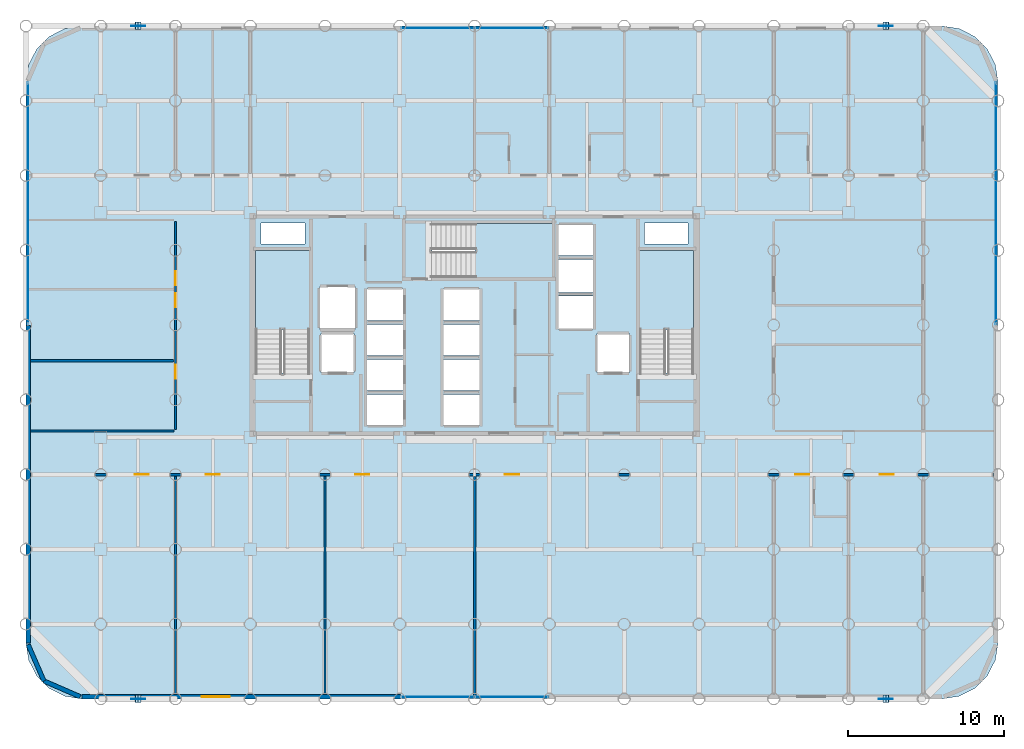
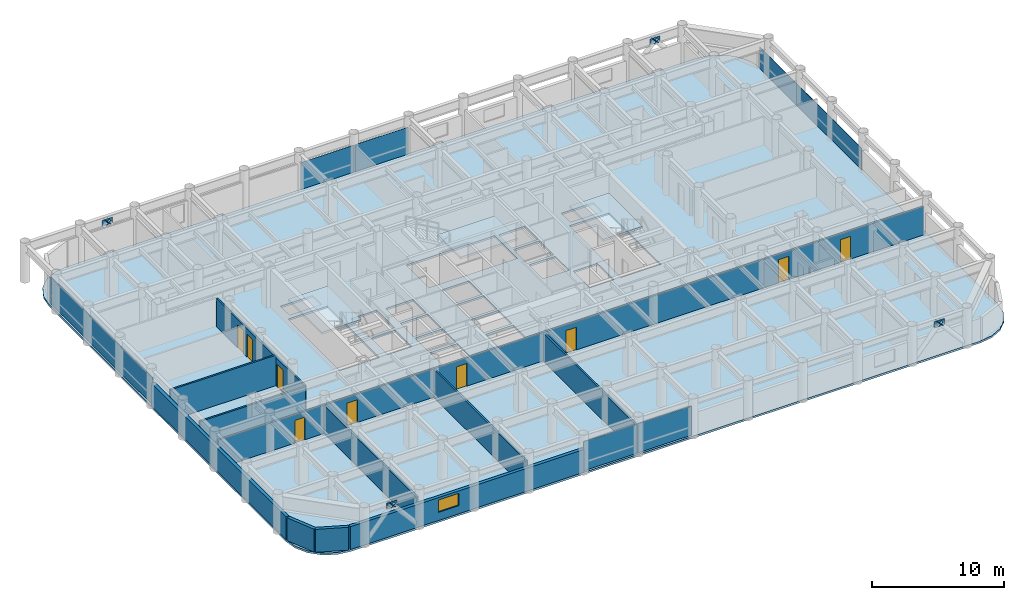
# One storey, part 14 of 19: 18 plates, 11 walls, 9 doors, 4 slabs, 1 window, 10 openings, 7 elements without a shape of their own.
"""IFC4 building model written with IfcOpenShell, lengths in metres."""

import ifcopenshell
import ifcopenshell.guid

model = None  # the IFC model being written
_history = None  # IfcOwnerHistory: only IFC2X3 demands one
_inside = {}  # id of a spatial element -> (the spatial element, [elements in it])
_under = {}  # id of a project, library or spatial element -> (it, [spatial elements below it])
_declared = {}  # id of a project -> (the project, [libraries it declares])
_typed = {}  # id of a type object -> (the type object, [elements of that type])
_made_of = {}  # id of a material, layer set ... -> (it, [elements and type objects made of it])


def new_model(schema):
    """Start an empty IFC model of exactly this schema.

    Asked for "IFC4X3", IfcOpenShell would pick the latest addendum, in which some entities
    have other attributes; the version numbers below select the first issue.
    IFC2X3 requires an IfcOwnerHistory on every rooted entity: one is made here for all.
    """
    global model, _history
    if schema == "IFC4X3":
        model = ifcopenshell.file(schema_version=(4, 3, 0, 0))
    else:
        model = ifcopenshell.file(schema=schema)
    _inside.clear()
    _under.clear()
    _declared.clear()
    _typed.clear()
    _made_of.clear()
    _history = None
    if model.schema == "IFC2X3":
        org = make("IfcOrganization", Name="unknown")
        user = make(
            "IfcPersonAndOrganization",
            ThePerson=make("IfcPerson", FamilyName="unknown"),
            TheOrganization=org,
        )
        app = make(
            "IfcApplication",
            ApplicationDeveloper=org,
            Version="unknown",
            ApplicationFullName="unknown",
            ApplicationIdentifier="unknown",
        )
        _history = make(
            "IfcOwnerHistory",
            OwningUser=user,
            OwningApplication=app,
            ChangeAction="ADDED",
            CreationDate=0,
        )
    return model


def make(cls, **values):
    """One entity of the class cls with the attributes given. An attribute that is None is left unset."""
    return model.create_entity(
        cls, **{name: value for name, value in values.items() if value is not None}
    )


def rooted(cls, **values):
    """An entity with a GlobalId (a new one), such as an element, a storey or a relation."""
    return make(cls, GlobalId=ifcopenshell.guid.new(), OwnerHistory=_history, **values)


def si_unit(unit_type, name, prefix=None):
    """IfcSIUnit, for example si_unit("LENGTHUNIT", "METRE", prefix="MILLI")."""
    return make("IfcSIUnit", UnitType=unit_type, Prefix=prefix, Name=name)


def assignment(units):
    """IfcUnitAssignment: the units of a project."""
    return None if units is None else make("IfcUnitAssignment", Units=units)


def point(xyz):
    """IfcCartesianPoint."""
    return None if xyz is None else make("IfcCartesianPoint", Coordinates=xyz)


def direction(xyz):
    """IfcDirection."""
    return None if xyz is None else make("IfcDirection", DirectionRatios=xyz)


def frame(location, z_axis=None, x_axis=None):
    """IfcAxis2Placement3D, a coordinate frame: its origin and axes. An axis left out is left unset."""
    return make(
        "IfcAxis2Placement3D",
        Location=point(location),
        Axis=direction(z_axis),
        RefDirection=direction(x_axis),
    )


def frame_2d(location, x_axis=None):
    """IfcAxis2Placement2D, a coordinate frame in the plane: its origin and x axis."""
    return make(
        "IfcAxis2Placement2D", Location=point(location), RefDirection=direction(x_axis)
    )


def origin():
    """The frame at (0, 0, 0) with its axes left unset."""
    return frame((0.0, 0.0, 0.0))


def origin_2d():
    """The frame at (0, 0) in the plane with its x axis left unset."""
    return frame_2d((0.0, 0.0))


def place(relative_to, where):
    """IfcLocalPlacement: puts the frame where relative to a parent placement (None: the world)."""
    return make(
        "IfcLocalPlacement", PlacementRelTo=relative_to, RelativePlacement=where
    )


def context(
    kind, dimensions, precision=None, world=None, true_north=None, identifier=None
):
    """IfcGeometricRepresentationContext, for example the 3D "Model" context."""
    return make(
        "IfcGeometricRepresentationContext",
        ContextIdentifier=identifier,
        ContextType=kind,
        CoordinateSpaceDimension=dimensions,
        Precision=precision,
        WorldCoordinateSystem=world,
        TrueNorth=true_north,
    )


def subcontext(parent, identifier, kind, view, scale=None):
    """IfcGeometricRepresentationSubContext, for example "Body" below "Model"."""
    return make(
        "IfcGeometricRepresentationSubContext",
        ContextIdentifier=identifier,
        ContextType=kind,
        ParentContext=parent,
        TargetScale=scale,
        TargetView=view,
    )


def project(units=None, contexts=None):
    """IfcProject with its units and contexts."""
    return rooted(
        "IfcProject",
        Name="project",
        RepresentationContexts=contexts,
        UnitsInContext=assignment(units),
    )


def spatial(cls, under=None, at=None, **own):
    """A site, building, storey or space (cls), placed at a placement, below another one or the project."""
    s = rooted(cls, ObjectPlacement=at, **own)
    if under is not None:
        _under.setdefault(under.id(), (under, []))[1].append(s)
    return s


def polyline(points):
    """IfcPolyline through the points."""
    return make("IfcPolyline", Points=[point(p) for p in points])


def profile(cls, at=None, kind="AREA", **sizes):
    """A parametric profile (cls). Its sizes go by their IFC names, for example OverallWidth=200.0."""
    return make(cls, ProfileType=kind, Position=at, **sizes)


def rectangle(**sizes):
    """IfcRectangleProfileDef."""
    return profile("IfcRectangleProfileDef", **sizes)


def outline(outer, holes=None, kind="AREA"):
    """IfcArbitraryClosedProfileDef: a profile drawn as a closed curve; with holes, ...WithVoids."""
    if holes is None:
        return make("IfcArbitraryClosedProfileDef", ProfileType=kind, OuterCurve=outer)
    return make(
        "IfcArbitraryProfileDefWithVoids",
        ProfileType=kind,
        OuterCurve=outer,
        InnerCurves=holes,
    )


def extrude(swept, where, along, depth):
    """IfcExtrudedAreaSolid: the profile swept, set in the frame where, extruded along a direction by depth."""
    return make(
        "IfcExtrudedAreaSolid",
        SweptArea=swept,
        Position=where,
        ExtrudedDirection=direction(along),
        Depth=depth,
    )


def shape(context_of_items, identifier, shape_type, items):
    """IfcShapeRepresentation: the items that make up one representation, for example the "Body"."""
    return make(
        "IfcShapeRepresentation",
        ContextOfItems=context_of_items,
        RepresentationIdentifier=identifier,
        RepresentationType=shape_type,
        Items=items,
    )


def material(Name=None, Category=None):
    """IfcMaterial."""
    return make("IfcMaterial", Name=Name, Category=Category)


def layer(
    of_material, thickness, ventilated=None, Name=None, Category=None, Priority=None
):
    """IfcMaterialLayer: one layer of a wall or slab, of a material (None: an air gap)."""
    return make(
        "IfcMaterialLayer",
        Material=of_material,
        LayerThickness=thickness,
        IsVentilated=ventilated,
        Name=Name,
        Category=Category,
        Priority=Priority,
    )


def layer_set(layers, Name=None):
    """IfcMaterialLayerSet."""
    return make("IfcMaterialLayerSet", MaterialLayers=layers, LayerSetName=Name)


def made_of(thing, what):
    """Note that an element or type object is made of a material, layer set ...; save() writes the relation."""
    if what is not None:
        _made_of.setdefault(what.id(), (what, []))[1].append(thing)
    return thing


def type_object(cls, material=None, **own):
    """A type object (cls), such as IfcWallType, which elements share."""
    return made_of(rooted(cls, **own), material)


def element(
    cls,
    number,
    at=None,
    inside=None,
    cuts=None,
    type_object=None,
    material=None,
    context=None,
    identifier="Body",
    shape_type=None,
    held_by="IfcProductDefinitionShape",
    body=None,
    shapes=None,
    **own,
):
    """One element of the class cls, such as IfcWall. Its Tag is "e" and its number.

    at: its placement. inside: the storey or other place that contains it. cuts: it is an
    opening in that element (IfcRelVoidsElement). A single representation is given by context,
    identifier, shape_type and body (its items); several are given by shapes. held_by: the class
    of the entity that holds the representations. save() writes the other relations.
    """
    e = rooted(cls, Tag="e%d" % number, ObjectPlacement=at, **own)
    if body is not None:
        shapes = [shape(context, identifier, shape_type, body)]
    if shapes is not None:
        e.Representation = make(held_by, Representations=shapes)
    if inside is not None:
        _inside.setdefault(inside.id(), (inside, []))[1].append(e)
    if cuts is not None:
        rooted(
            "IfcRelVoidsElement", RelatingBuildingElement=cuts, RelatedOpeningElement=e
        )
    if type_object is not None:
        _typed.setdefault(type_object.id(), (type_object, []))[1].append(e)
    return made_of(e, material)


def fill(opening, filler):
    """IfcRelFillsElement: the door or window that sits in an opening."""
    return rooted(
        "IfcRelFillsElement",
        RelatingOpeningElement=opening,
        RelatedBuildingElement=filler,
    )


def aggregate(whole, parts):
    """IfcRelAggregates: a whole, such as a stair, and the parts it consists of."""
    return rooted("IfcRelAggregates", RelatingObject=whole, RelatedObjects=parts)


def save(model, path):
    """Write the relations noted so far, then the file.

    IfcRelAggregates (storeys below a building ...), IfcRelContainedInSpatialStructure (elements
    in a storey), IfcRelDefinesByType, IfcRelAssociatesMaterial and IfcRelDeclares: one each for
    every whole, place, type object, material and project.
    """
    for whole, parts in _under.values():
        aggregate(whole, parts)
    for where, things in _inside.values():
        rooted(
            "IfcRelContainedInSpatialStructure",
            RelatedElements=things,
            RelatingStructure=where,
        )
    for kind, things in _typed.values():
        rooted("IfcRelDefinesByType", RelatedObjects=things, RelatingType=kind)
    for what, things in _made_of.values():
        rooted("IfcRelAssociatesMaterial", RelatedObjects=things, RelatingMaterial=what)
    for by, libraries in _declared.values():
        rooted("IfcRelDeclares", RelatingContext=by, RelatedDefinitions=libraries)
    model.write(path)


model = new_model("IFC4")

# Units and contexts
model_context = context("Model", 3, precision=1e-05, world=origin(), true_north=direction((0.0, 1.0)))
body_context = subcontext(model_context, "Body", "Model", "MODEL_VIEW")
ifc_project = project(units=[si_unit("LENGTHUNIT", "METRE"), si_unit("AREAUNIT", "SQUARE_METRE"), si_unit("VOLUMEUNIT", "CUBIC_METRE"), si_unit("PLANEANGLEUNIT", "RADIAN"), si_unit("MASSUNIT", "GRAM", prefix="KILO")], contexts=[model_context])

# Site, building, storey
site_placement = place(None, origin())
site = spatial("IfcSite", under=ifc_project, at=site_placement, CompositionType="ELEMENT")
building_placement = place(site_placement, origin())
building = spatial("IfcBuilding", under=site, at=building_placement, Name="Kallvorn Hotel Tower", CompositionType="ELEMENT")
storey_placement = place(building_placement, frame((0.0, 0.0, 63.300048828125)))
storey = spatial("IfcBuildingStorey", under=building, at=storey_placement, Name="L14", CompositionType="ELEMENT", Elevation=63.300048828125)

# Curtain wall, plates
ifc_material_1 = material(Name="Thermally broken black-anodised aluminium AA 6063-T6", Category="aluminium")
ifc_layer_1 = layer(ifc_material_1, 0.199951171875)
ifc_layer_set_1 = layer_set([ifc_layer_1], Name="CW_SYS_3_HOTEL_LOW")
curtain_wall_type = type_object("IfcCurtainWallType", Name="CW_SYS_3_HOTEL_LOW", PredefinedType="USERDEFINED", material=ifc_layer_set_1)
curtain_wall_1_placement = place(storey_placement, origin())
curtain_wall_1 = element("IfcCurtainWall", 1, at=curtain_wall_1_placement, inside=storey, type_object=curtain_wall_type, Name="L14 Dark-Glass Curtain Wall CW-L14-SC", ObjectType="UNITISED CURTAIN WALL", PredefinedType="USERDEFINED")
ifc_material_2 = material(Name="Double-glazed low-e solar-control dark glass", Category="glass")
ifc_layer_2 = layer(ifc_material_2, 0.035888671875)
ifc_layer_set_2 = layer_set([ifc_layer_2], Name="CW_SYS_3_HOTEL_LOW_PANEL")
plate_type_1 = type_object("IfcPlateType", Name="CW_SYS_3_HOTEL_LOW_PANEL", PredefinedType="CURTAIN_PANEL", material=ifc_layer_set_2)
plate_1_placement = place(storey_placement, frame((-2.375, -23.8798828125, 0.06005859375), z_axis=(0.0, 0.0, 1.0), x_axis=(1.0, 0.0, 0.0)))
plate_1 = element("IfcPlate", 2, at=plate_1_placement, type_object=plate_type_1, Name="CW-L14-SC Vision Glass Panel 00", PredefinedType="CURTAIN_PANEL", context=body_context, shape_type="SweptSolid", body=[
    extrude(rectangle(XDim=4.68994140625, YDim=0.035888671875, at=origin_2d()), origin(), (0.0, 0.0, 1.0), 2.699951171875),
])
plate_2_placement = place(storey_placement, frame((2.375, -23.8798828125, 0.06005859375), z_axis=(0.0, 0.0, 1.0), x_axis=(1.0, 0.0, 0.0)))
plate_2 = element("IfcPlate", 3, at=plate_2_placement, type_object=plate_type_1, Name="CW-L14-SC Vision Glass Panel 01", PredefinedType="CURTAIN_PANEL", context=body_context, shape_type="SweptSolid", body=[
    extrude(rectangle(XDim=4.68994140625, YDim=0.035888671875, at=origin_2d()), origin(), (0.0, 0.0, 1.0), 2.699951171875),
])
aggregate(curtain_wall_1, [plate_1, plate_2])

curtain_wall_2_placement = place(storey_placement, origin())
curtain_wall_2 = element("IfcCurtainWall", 4, at=curtain_wall_2_placement, inside=storey, type_object=curtain_wall_type, Name="L14 Dark-Glass Curtain Wall CW-L14-NC", ObjectType="UNITISED CURTAIN WALL", PredefinedType="USERDEFINED")
plate_3_placement = place(storey_placement, frame((-2.375, 19.080078125, 0.06005859375), z_axis=(0.0, 0.0, 1.0), x_axis=(1.0, 0.0, 0.0)))
plate_3 = element("IfcPlate", 5, at=plate_3_placement, type_object=plate_type_1, Name="CW-L14-NC Vision Glass Panel 00", PredefinedType="CURTAIN_PANEL", context=body_context, shape_type="SweptSolid", body=[
    extrude(rectangle(XDim=4.68994140625, YDim=0.035888671875, at=origin_2d()), origin(), (0.0, 0.0, 1.0), 2.5),
])
plate_4_placement = place(storey_placement, frame((2.375, 19.080078125, 0.06005859375), z_axis=(0.0, 0.0, 1.0), x_axis=(1.0, 0.0, 0.0)))
plate_4 = element("IfcPlate", 6, at=plate_4_placement, type_object=plate_type_1, Name="CW-L14-NC Vision Glass Panel 01", PredefinedType="CURTAIN_PANEL", context=body_context, shape_type="SweptSolid", body=[
    extrude(rectangle(XDim=4.68994140625, YDim=0.035888671875, at=origin_2d()), origin(), (0.0, 0.0, 1.0), 2.5),
])
aggregate(curtain_wall_2, [plate_3, plate_4])

# Curtain wall, plate
curtain_wall_3_placement = place(storey_placement, origin())
curtain_wall_3 = element("IfcCurtainWall", 7, at=curtain_wall_3_placement, inside=storey, type_object=curtain_wall_type, Name="L14 Dark-Glass Curtain Wall CW-L14-WN", ObjectType="UNITISED CURTAIN WALL", PredefinedType="USERDEFINED")
plate_5_placement = place(storey_placement, frame((-28.679931640625, 7.81005859375, 0.06005859375), z_axis=(0.0, 0.0, 1.0), x_axis=(0.0, 1.0, 0.0)))
plate_5 = element("IfcPlate", 8, at=plate_5_placement, type_object=plate_type_1, Name="CW-L14-WN Vision Glass Panel 00", PredefinedType="CURTAIN_PANEL", context=body_context, shape_type="SweptSolid", body=[
    extrude(rectangle(XDim=15.52001953125, YDim=0.035888671875, at=origin_2d()), origin(), (0.0, 0.0, 1.0), 2.5),
])
aggregate(curtain_wall_3, [plate_5])

curtain_wall_4_placement = place(storey_placement, origin())
curtain_wall_4 = element("IfcCurtainWall", 9, at=curtain_wall_4_placement, inside=storey, type_object=curtain_wall_type, Name="L14 Dark-Glass Curtain Wall CW-L14-EN", ObjectType="UNITISED CURTAIN WALL", PredefinedType="USERDEFINED")
plate_6_placement = place(storey_placement, frame((33.47998046875, 7.81005859375, 0.06005859375), z_axis=(0.0, 0.0, 1.0), x_axis=(0.0, 1.0, 0.0)))
plate_6 = element("IfcPlate", 10, at=plate_6_placement, type_object=plate_type_1, Name="CW-L14-EN Vision Glass Panel 00", PredefinedType="CURTAIN_PANEL", context=body_context, shape_type="SweptSolid", body=[
    extrude(rectangle(XDim=15.52001953125, YDim=0.035888671875, at=origin_2d()), origin(), (0.0, 0.0, 1.0), 2.0),
])
aggregate(curtain_wall_4, [plate_6])

# Plates
ifc_material_3 = material(Name="Structural steel S355JR", Category="steel")
ifc_layer_3 = layer(ifc_material_3, 0.030029296875)
ifc_layer_set_3 = layer_set([ifc_layer_3], Name="PLT_CAP_30")
plate_type_2 = type_object("IfcPlateType", Name="PLT_CAP_30", PredefinedType="SHEET", material=ifc_layer_set_3)
for number, where, z_axis, x_axis, name in (
    (11, (-21.409423828125, -24.2431640625, 2.80859375), (0.653515319717, 0.0, 0.756913288888), (0.0, 1.0, 0.0), "EXO-L14-S1A End Cap Plate B"),
    (12, (-21.79052734375, -23.7568359375, 2.80859375), (-0.653515319717, 0.0, 0.756913288888), (0.0, -1.0, 0.0), "EXO-L14-S1B End Cap Plate B"),
    (13, (26.590576171875, -24.2431640625, 2.80859375), (0.653515319717, 0.0, 0.756913288888), (0.0, 1.0, 0.0), "EXO-L14-S2A End Cap Plate B"),
    (14, (26.20947265625, -23.7568359375, 2.80859375), (-0.653515319717, 0.0, 0.756913288888), (0.0, -1.0, 0.0), "EXO-L14-S2B End Cap Plate B"),
    (15, (-21.409423828125, 18.956787109375, 2.80859375), (0.653515319717, 0.0, 0.756913288888), (0.0, 1.0, 0.0), "EXO-L14-N1A End Cap Plate B"),
    (16, (-21.79052734375, 19.443115234375, 2.80859375), (-0.653515319717, 0.0, 0.756913288888), (0.0, -1.0, 0.0), "EXO-L14-N1B End Cap Plate B"),
    (17, (26.590576171875, 18.956787109375, 2.80859375), (0.653515319717, 0.0, 0.756913288888), (0.0, 1.0, 0.0), "EXO-L14-N2A End Cap Plate B"),
    (18, (26.20947265625, 19.443115234375, 2.80859375), (-0.653515319717, 0.0, 0.756913288888), (0.0, -1.0, 0.0), "EXO-L14-N2B End Cap Plate B"),
):
    element("IfcPlate", number, at=place(storey_placement, frame(where, z_axis=z_axis, x_axis=x_axis)), inside=storey, type_object=plate_type_2, Name=name, PredefinedType="SHEET", context=body_context, shape_type="SweptSolid", body=[
        extrude(outline(polyline([(0.0, 0.0), (0.486328125, 0.0), (0.486328125, 0.4864019008580509), (0.0, 0.4864019008580509), (0.0, 0.0)])), origin(), (0.0, 0.0, -1.0), 0.030029296875),
    ])
ifc_material_4 = material(Name="Structural steel S355JR", Category="steel")
ifc_layer_4 = layer(ifc_material_4, 0.044921875)
ifc_layer_set_4 = layer_set([ifc_layer_4], Name="PLT_GUSSET_45")
plate_type_3 = type_object("IfcPlateType", Name="PLT_GUSSET_45", PredefinedType="USERDEFINED", material=ifc_layer_set_4)
for number, where, z_axis, x_axis, name in (
    (19, (-21.60009765625, -24.0, 2.639892578125), (0.0, 0.0, 1.0), (1.0, 0.0, 0.0), "L14 Exoskeleton Node Gusset S1"),
    (20, (26.39990234375, -24.0, 2.639892578125), (0.0, 0.0, 1.0), (1.0, 0.0, 0.0), "L14 Exoskeleton Node Gusset S2"),
    (21, (-21.60009765625, 19.199951171875, 2.639892578125), (0.0, 0.0, 1.0), (1.0, 0.0, 0.0), "L14 Exoskeleton Node Gusset N1"),
    (22, (26.39990234375, 19.199951171875, 2.639892578125), (0.0, 0.0, 1.0), (1.0, 0.0, 0.0), "L14 Exoskeleton Node Gusset N2"),
):
    element("IfcPlate", number, at=place(storey_placement, frame(where, z_axis=z_axis, x_axis=x_axis)), inside=storey, type_object=plate_type_3, Name=name, ObjectType="GUSSET PLATE", PredefinedType="USERDEFINED", context=body_context, shape_type="SweptSolid", body=[
        extrude(rectangle(XDim=0.89990234375, YDim=0.044921875, at=origin_2d()), origin(), (0.0, 0.0, 1.0), 0.56005859375),
    ])

# Stair, slab
ifc_material_5 = material(Name="Precast concrete C40/50", Category="concrete")
stair_type = type_object("IfcStairType", Name="STR_CORE_DOGLEG", PredefinedType="HALF_TURN_STAIR", material=ifc_material_5)
stair_1_placement = place(storey_placement, origin())
stair_1 = element("IfcStair", 23, at=stair_1_placement, inside=storey, type_object=stair_type, Name="L14 Exit stair ST1", PredefinedType="HALF_TURN_STAIR")
ifc_material_6 = material(Name="Precast concrete C40/50", Category="concrete")
ifc_layer_5 = layer(ifc_material_6, 0.179931640625)
ifc_layer_set_5 = layer_set([ifc_layer_5], Name="SLB_LANDING_180")
slab_type_1 = type_object("IfcSlabType", Name="SLB_LANDING_180", PredefinedType="LANDING", material=ifc_layer_set_5)
slab_1_placement = place(storey_placement, frame((0.0, 0.0, 1.64990234375)))
slab_1 = element("IfcSlab", 24, at=slab_1_placement, type_object=slab_type_1, Name="ST1 landing 1", PredefinedType="LANDING", context=body_context, shape_type="SweptSolid", body=[
    extrude(outline(polyline([(-10.60009765625, -0.31005859375), (-10.60009765625, 4.800048828125), (-14.06005859375, 4.800048828125), (-14.06005859375, -0.31005859375), (-10.60009765625, -0.31005859375)])), origin(), (0.0, 0.0, 1.0), 0.199951171875),
])
aggregate(stair_1, [slab_1])

stair_2_placement = place(storey_placement, origin())
stair_2 = element("IfcStair", 25, at=stair_2_placement, inside=storey, type_object=stair_type, Name="L14 Exit stair ST2", PredefinedType="HALF_TURN_STAIR")
slab_2_placement = place(storey_placement, frame((0.0, 0.0, 1.64990234375)))
slab_2 = element("IfcSlab", 26, at=slab_2_placement, type_object=slab_type_1, Name="ST2 landing 1", PredefinedType="LANDING", context=body_context, shape_type="SweptSolid", body=[
    extrude(outline(polyline([(14.06005859375, -0.31005859375), (14.06005859375, 4.800048828125), (10.60009765625, 4.800048828125), (10.60009765625, -0.31005859375), (14.06005859375, -0.31005859375)])), origin(), (0.0, 0.0, 1.0), 0.199951171875),
])
aggregate(stair_2, [slab_2])

stair_3_placement = place(storey_placement, origin())
stair_3 = element("IfcStair", 27, at=stair_3_placement, inside=storey, type_object=stair_type, Name="L14 Exit stair ST3", PredefinedType="HALF_TURN_STAIR")
slab_3_placement = place(storey_placement, frame((0.0, 0.0, 1.64990234375)))
slab_3 = element("IfcSlab", 28, at=slab_3_placement, type_object=slab_type_1, Name="ST3 landing 1", PredefinedType="LANDING", context=body_context, shape_type="SweptSolid", body=[
    extrude(outline(polyline([(0.0400390625, 3.050048828125), (5.050048828125, 3.050048828125), (5.050048828125, 6.510009765625), (0.0400390625, 6.510009765625), (0.0400390625, 3.050048828125)])), origin(), (0.0, 0.0, 1.0), 0.199951171875),
])
aggregate(stair_3, [slab_3])

# Slab
ifc_material_7 = material(Name="Concrete C40/50", Category="concrete")
ifc_layer_6 = layer(ifc_material_7, 0.179931640625)
ifc_layer_set_6 = layer_set([ifc_layer_6], Name="SLB_TOWER_180")
slab_type_2 = type_object("IfcSlabType", Name="SLB_TOWER_180", PredefinedType="FLOOR", material=ifc_layer_set_6)
slab_4_placement = place(storey_placement, frame((0.0, 0.0, -0.179931640625)))
element("IfcSlab", 29, at=slab_4_placement, inside=storey, type_object=slab_type_2, Name="L14 Structural Floor Slab", PredefinedType="FLOOR", context=body_context, shape_type="SweptSolid", body=[
    extrude(outline(polyline([(30.0, -24.0), (31.112548828125, -23.82373046875), (32.115966796875, -23.3125), (32.91259765625, -22.51611328125), (33.423828125, -21.512451171875), (33.60009765625, -20.39990234375), (33.60009765625, 15.60009765625), (33.423828125, 16.71240234375), (32.91259765625, 17.716064453125), (32.115966796875, 18.512451171875), (31.112548828125, 19.023681640625), (30.0, 19.199951171875), (-25.199951171875, 19.199951171875), (-26.3125, 19.023681640625), (-27.31591796875, 18.512451171875), (-28.112548828125, 17.716064453125), (-28.623779296875, 16.71240234375), (-28.800048828125, 15.60009765625), (-28.800048828125, -20.39990234375), (-28.623779296875, -21.512451171875), (-28.112548828125, -22.51611328125), (-27.31591796875, -23.3125), (-26.3125, -23.82373046875), (-25.199951171875, -24.0), (30.0, -24.0)]), holes=[polyline([(-10.60009765625, -3.070068359375), (-10.60009765625, 4.800048828125), (-14.06005859375, 4.800048828125), (-14.06005859375, -3.070068359375), (-10.60009765625, -3.070068359375)]), polyline([(14.06005859375, -3.070068359375), (14.06005859375, 4.800048828125), (10.60009765625, 4.800048828125), (10.60009765625, -3.070068359375), (14.06005859375, -3.070068359375)]), polyline([(-2.719970703125, 3.050048828125), (5.050048828125, 3.050048828125), (5.050048828125, 6.510009765625), (-2.719970703125, 6.510009765625), (-2.719970703125, 3.050048828125)]), polyline([(-6.949951171875, -6.449951171875), (-4.550048828125, -6.449951171875), (-4.550048828125, -4.449951171875), (-6.949951171875, -4.449951171875), (-6.949951171875, -6.449951171875)]), polyline([(-6.949951171875, -4.199951171875), (-4.550048828125, -4.199951171875), (-4.550048828125, -2.199951171875), (-6.949951171875, -2.199951171875), (-6.949951171875, -4.199951171875)]), polyline([(-6.949951171875, -1.949951171875), (-4.550048828125, -1.949951171875), (-4.550048828125, 0.050048828125), (-6.949951171875, 0.050048828125), (-6.949951171875, -1.949951171875)]), polyline([(-6.949951171875, 0.300048828125), (-4.550048828125, 0.300048828125), (-4.550048828125, 2.300048828125), (-6.949951171875, 2.300048828125), (-6.949951171875, 0.300048828125)]), polyline([(-2.050048828125, -6.449951171875), (0.35009765625, -6.449951171875), (0.35009765625, -4.449951171875), (-2.050048828125, -4.449951171875), (-2.050048828125, -6.449951171875)]), polyline([(-2.050048828125, -4.199951171875), (0.35009765625, -4.199951171875), (0.35009765625, -2.199951171875), (-2.050048828125, -2.199951171875), (-2.050048828125, -4.199951171875)]), polyline([(-2.050048828125, -1.949951171875), (0.35009765625, -1.949951171875), (0.35009765625, 0.050048828125), (-2.050048828125, 0.050048828125), (-2.050048828125, -1.949951171875)]), polyline([(-2.050048828125, 0.300048828125), (0.35009765625, 0.300048828125), (0.35009765625, 2.300048828125), (-2.050048828125, 2.300048828125), (-2.050048828125, 0.300048828125)]), polyline([(5.35009765625, -0.25), (7.64990234375, -0.25), (7.64990234375, 1.85009765625), (5.35009765625, 1.85009765625), (5.35009765625, -0.25)]), polyline([(5.35009765625, 2.10009765625), (7.64990234375, 2.10009765625), (7.64990234375, 4.199951171875), (5.35009765625, 4.199951171875), (5.35009765625, 2.10009765625)]), polyline([(5.35009765625, 4.449951171875), (7.64990234375, 4.449951171875), (7.64990234375, 6.449951171875), (5.35009765625, 6.449951171875), (5.35009765625, 4.449951171875)]), polyline([(-9.85009765625, -3.050048828125), (-7.75, -3.050048828125), (-7.75, -0.550048828125), (-9.85009765625, -0.550048828125), (-9.85009765625, -3.050048828125)]), polyline([(7.85009765625, -3.050048828125), (9.949951171875, -3.050048828125), (9.949951171875, -0.550048828125), (7.85009765625, -0.550048828125), (7.85009765625, -3.050048828125)]), polyline([(-9.949951171875, -0.25), (-7.64990234375, -0.25), (-7.64990234375, 2.449951171875), (-9.949951171875, 2.449951171875), (-9.949951171875, -0.25)]), polyline([(-13.699951171875, 5.199951171875), (-10.89990234375, 5.199951171875), (-10.89990234375, 6.550048828125), (-13.699951171875, 6.550048828125), (-13.699951171875, 5.199951171875)]), polyline([(10.89990234375, 5.199951171875), (13.699951171875, 5.199951171875), (13.699951171875, 6.550048828125), (10.89990234375, 6.550048828125), (10.89990234375, 5.199951171875)])]), origin(), (0.0, 0.0, 1.0), 0.179931640625),
])

# Wall, openings, doors
ifc_material_8 = material(Name="Fire-rated double-layer acoustic gypsum drywall EI 60")
ifc_layer_7 = layer(ifc_material_8, 0.159912109375)
ifc_layer_set_7 = layer_set([ifc_layer_7], Name="WL_DEMISE_160")
wall_type_1 = type_object("IfcWallType", Name="WL_DEMISE_160", PredefinedType="PARTITIONING", material=ifc_layer_set_7)
wall_1_placement = place(storey_placement, frame((-28.510009765625, -9.60009765625, 0.0), z_axis=(0.0, 0.0, 1.0), x_axis=(1.0, 0.0, 0.0)))
wall_1 = element("IfcWall", 30, at=wall_1_placement, inside=storey, type_object=wall_type_1, Name="L14 Suite 1401 Deluxe King Room Partition", PredefinedType="PARTITIONING", context=body_context, shape_type="SweptSolid", body=[
    extrude(rectangle(XDim=61.820068359375, YDim=0.159912109375, at=frame_2d((30.91015625, 0.0))), origin(), (0.0, 0.0, 1.0), 2.619873046875),
])
opening_1_placement = place(wall_1_placement, frame((6.679443359375, 0.0, 0.0)))
opening_1 = element("IfcOpeningElement", 31, at=opening_1_placement, cuts=wall_1, Name="Opening SVD1", PredefinedType="OPENING", context=body_context, shape_type="SweptSolid", body=[
    extrude(rectangle(XDim=0.89990234375, YDim=2.10009765625, at=frame_2d((0.449951171875, 1.050048828125))), frame((0.0, 0.094970703125, 0.0), z_axis=(0.0, -1.0, 0.0), x_axis=(1.0, 0.0, 0.0)), (0.0, 0.0, 1.0), 0.18994140625),
])
opening_2_placement = place(wall_1_placement, frame((54.5, 0.0, 0.0)))
opening_2 = element("IfcOpeningElement", 32, at=opening_2_placement, cuts=wall_1, Name="Opening SVD1", PredefinedType="OPENING", context=body_context, shape_type="SweptSolid", body=[
    extrude(rectangle(XDim=0.89990234375, YDim=2.10009765625, at=frame_2d((0.449951171875, 1.050048828125))), frame((0.0, 0.094970703125, 0.0), z_axis=(0.0, -1.0, 0.0), x_axis=(1.0, 0.0, 0.0)), (0.0, 0.0, 1.0), 0.18994140625),
])
opening_3_placement = place(wall_1_placement, frame((11.260009765625, 0.0, 0.0)))
opening_3 = element("IfcOpeningElement", 33, at=opening_3_placement, cuts=wall_1, Name="Opening SVD1", PredefinedType="OPENING", context=body_context, shape_type="SweptSolid", body=[
    extrude(rectangle(XDim=0.89990234375, YDim=2.10009765625, at=frame_2d((0.449951171875, 1.050048828125))), frame((0.0, 0.094970703125, 0.0), z_axis=(0.0, -1.0, 0.0), x_axis=(1.0, 0.0, 0.0)), (0.0, 0.0, 1.0), 0.18994140625),
])
opening_4_placement = place(wall_1_placement, frame((20.860107421875, 0.0, 0.0)))
opening_4 = element("IfcOpeningElement", 34, at=opening_4_placement, cuts=wall_1, Name="Opening SVD1", PredefinedType="OPENING", context=body_context, shape_type="SweptSolid", body=[
    extrude(rectangle(XDim=0.89990234375, YDim=2.10009765625, at=frame_2d((0.449951171875, 1.050048828125))), frame((0.0, 0.094970703125, 0.0), z_axis=(0.0, -1.0, 0.0), x_axis=(1.0, 0.0, 0.0)), (0.0, 0.0, 1.0), 0.18994140625),
])
opening_5_placement = place(wall_1_placement, frame((30.4599609375, 0.0, 0.0)))
opening_5 = element("IfcOpeningElement", 35, at=opening_5_placement, cuts=wall_1, Name="Opening SVD1", PredefinedType="OPENING", context=body_context, shape_type="SweptSolid", body=[
    extrude(rectangle(XDim=0.89990234375, YDim=2.10009765625, at=frame_2d((0.449951171875, 1.050048828125))), frame((0.0, 0.094970703125, 0.0), z_axis=(0.0, -1.0, 0.0), x_axis=(1.0, 0.0, 0.0)), (0.0, 0.0, 1.0), 0.18994140625),
])
opening_6_placement = place(wall_1_placement, frame((49.080078125, 0.0, 0.0)))
opening_6 = element("IfcOpeningElement", 36, at=opening_6_placement, cuts=wall_1, Name="Opening GD1", PredefinedType="OPENING", context=body_context, shape_type="SweptSolid", body=[
    extrude(rectangle(XDim=0.919921875, YDim=2.14990234375, at=frame_2d((0.4599609375, 1.074951171875))), frame((0.0, 0.094970703125, 0.0), z_axis=(0.0, -1.0, 0.0), x_axis=(1.0, 0.0, 0.0)), (0.0, 0.0, 1.0), 0.18994140625),
])
ifc_material_9 = material(Name="Solid-core walnut veneer fire-rated timber door leaf", Category="wood")
door_type_1 = type_object("IfcDoorType", Name="DR_GUEST_920x2150", OperationType="NOTDEFINED", PredefinedType="DOOR", material=ifc_material_9)
door_1_placement = place(opening_6_placement, origin())
door_1 = element("IfcDoor", 37, at=door_1_placement, inside=storey, type_object=door_type_1, Name="L14 Suite 1401 Deluxe King Room Door", OperationType="SINGLE_SWING_RIGHT", OverallHeight=2.14990234375, OverallWidth=0.919921875, PredefinedType="DOOR", context=body_context, shape_type="SweptSolid", body=[
    extrude(rectangle(XDim=0.919921875, YDim=2.14990234375, at=frame_2d((0.4599609375, 1.074951171875))), frame((0.0, 0.02490234375, 0.0), z_axis=(0.0, -1.0, 0.0), x_axis=(1.0, 0.0, 0.0)), (0.0, 0.0, 1.0), 0.050048828125),
])
fill(opening_6, door_1)
ifc_material_10 = material(Name="Galvanised painted steel fire-rated door assembly", Category="steel")
door_type_2 = type_object("IfcDoorType", Name="DR_SERV_900x2100", OperationType="NOTDEFINED", PredefinedType="DOOR", material=ifc_material_10)
door_2_placement = place(opening_1_placement, origin())
door_2 = element("IfcDoor", 38, at=door_2_placement, inside=storey, type_object=door_type_2, Name="L14 L14 South-West Botanical Bar Door", OperationType="SINGLE_SWING_LEFT", OverallHeight=2.10009765625, OverallWidth=0.89990234375, PredefinedType="DOOR", context=body_context, shape_type="SweptSolid", body=[
    extrude(rectangle(XDim=0.89990234375, YDim=2.10009765625, at=frame_2d((0.449951171875, 1.050048828125))), frame((0.0, 0.02490234375, 0.0), z_axis=(0.0, -1.0, 0.0), x_axis=(1.0, 0.0, 0.0)), (0.0, 0.0, 1.0), 0.050048828125),
])
fill(opening_1, door_2)
door_3_placement = place(opening_2_placement, origin())
door_3 = element("IfcDoor", 39, at=door_3_placement, inside=storey, type_object=door_type_2, Name="L14 L14 South-East Sommelier Bar A Door", OperationType="SINGLE_SWING_RIGHT", OverallHeight=2.10009765625, OverallWidth=0.89990234375, PredefinedType="DOOR", context=body_context, shape_type="SweptSolid", body=[
    extrude(rectangle(XDim=0.89990234375, YDim=2.10009765625, at=frame_2d((0.449951171875, 1.050048828125))), frame((0.0, 0.02490234375, 0.0), z_axis=(0.0, -1.0, 0.0), x_axis=(1.0, 0.0, 0.0)), (0.0, 0.0, 1.0), 0.050048828125),
])
fill(opening_2, door_3)
door_4_placement = place(opening_3_placement, origin())
door_4 = element("IfcDoor", 40, at=door_4_placement, inside=storey, type_object=door_type_2, Name="L14 L14 Curated Emerald Craft Retail Boutique 1 Door", OperationType="SINGLE_SWING_RIGHT", OverallHeight=2.10009765625, OverallWidth=0.89990234375, PredefinedType="DOOR", context=body_context, shape_type="SweptSolid", body=[
    extrude(rectangle(XDim=0.89990234375, YDim=2.10009765625, at=frame_2d((0.449951171875, 1.050048828125))), frame((0.0, 0.02490234375, 0.0), z_axis=(0.0, -1.0, 0.0), x_axis=(1.0, 0.0, 0.0)), (0.0, 0.0, 1.0), 0.050048828125),
])
fill(opening_3, door_4)
door_5_placement = place(opening_4_placement, origin())
door_5 = element("IfcDoor", 41, at=door_5_placement, inside=storey, type_object=door_type_2, Name="L14 L14 Haute Couture Design Retail Shop 2 Door", OperationType="SINGLE_SWING_RIGHT", OverallHeight=2.10009765625, OverallWidth=0.89990234375, PredefinedType="DOOR", context=body_context, shape_type="SweptSolid", body=[
    extrude(rectangle(XDim=0.89990234375, YDim=2.10009765625, at=frame_2d((0.449951171875, 1.050048828125))), frame((0.0, 0.02490234375, 0.0), z_axis=(0.0, -1.0, 0.0), x_axis=(1.0, 0.0, 0.0)), (0.0, 0.0, 1.0), 0.050048828125),
])
fill(opening_4, door_5)
door_6_placement = place(opening_5_placement, origin())
door_6 = element("IfcDoor", 42, at=door_6_placement, inside=storey, type_object=door_type_2, Name="L14 L14 Restaurant Culinary Catering Kitchen 3 Door", OperationType="SINGLE_SWING_RIGHT", OverallHeight=2.10009765625, OverallWidth=0.89990234375, PredefinedType="DOOR", context=body_context, shape_type="SweptSolid", body=[
    extrude(rectangle(XDim=0.89990234375, YDim=2.10009765625, at=frame_2d((0.449951171875, 1.050048828125))), frame((0.0, 0.02490234375, 0.0), z_axis=(0.0, -1.0, 0.0), x_axis=(1.0, 0.0, 0.0)), (0.0, 0.0, 1.0), 0.050048828125),
])
fill(opening_5, door_6)

# Walls
ifc_material_11 = material(Name="Precast basalt-clad insulated concrete wall C40/50", Category="masonry")
ifc_layer_8 = layer(ifc_material_11, 0.280029296875)
ifc_layer_set_8 = layer_set([ifc_layer_8], Name="WL_EXT_LOGGIA_280")
wall_type_2 = type_object("IfcWallType", Name="WL_EXT_LOGGIA_280", PredefinedType="SOLIDWALL", material=ifc_layer_set_8)
wall_2_placement = place(storey_placement, frame((-28.657958984375, -20.520751953125, 0.0), z_axis=(0.0, 0.0, 1.0), x_axis=(0.398792985289, -0.917040977756, 0.0)))
element("IfcWall", 43, at=wall_2_placement, inside=storey, type_object=wall_type_2, Name="L14 Rounded Corner Exterior Wall SW1", PredefinedType="SOLIDWALL", context=body_context, shape_type="SweptSolid", body=[
    extrude(rectangle(XDim=2.536376953125, YDim=0.280029296875, at=frame_2d((1.26806640625, 0.0))), origin(), (0.0, 0.0, 1.0), 2.119873046875),
])
wall_3_placement = place(storey_placement, frame((-27.646484375, -22.8466796875, 0.0), z_axis=(0.0, 0.0, 1.0), x_axis=(0.917060872934, -0.398747232384, 0.0)))
element("IfcWall", 44, at=wall_3_placement, inside=storey, type_object=wall_type_2, Name="L14 Rounded Corner Exterior Wall SW2", PredefinedType="SOLIDWALL", context=body_context, shape_type="SweptSolid", body=[
    extrude(rectangle(XDim=2.5361328125, YDim=0.280029296875, at=frame_2d((1.26806640625, 0.0))), origin(), (0.0, 0.0, 1.0), 2.119873046875),
])

# Wall, opening, window
wall_4_placement = place(storey_placement, frame((-25.199951171875, -23.860107421875, 0.0), z_axis=(0.0, 0.0, 1.0), x_axis=(1.0, 0.0, 0.0)))
wall_4 = element("IfcWall", 45, at=wall_4_placement, inside=storey, type_object=wall_type_2, Name="L14 Exterior Envelope Wall EW-L14-SW", PredefinedType="SOLIDWALL", context=body_context, shape_type="SweptSolid", body=[
    extrude(rectangle(XDim=20.449951171875, YDim=0.280029296875, at=frame_2d((10.22509765625, 0.0))), origin(), (0.0, 0.0, 1.0), 2.119873046875),
])
opening_7_placement = place(wall_4_placement, frame((7.679931640625, 0.0, 0.75)))
opening_7 = element("IfcOpeningElement", 46, at=opening_7_placement, cuts=wall_4, Name="Opening W04A", PredefinedType="OPENING", context=body_context, shape_type="SweptSolid", body=[
    extrude(rectangle(XDim=1.800048828125, YDim=1.14990234375, at=frame_2d((0.89990234375, 0.574951171875))), frame((0.0, 0.155029296875, 0.0), z_axis=(0.0, -1.0, 0.0), x_axis=(1.0, 0.0, 0.0)), (0.0, 0.0, 1.0), 0.31005859375),
])
ifc_material_12 = material(Name="Double-glazed low-e solar-control dark glass", Category="glass")
window_type = type_object("IfcWindowType", Name="WN_HTL_1800x1150", PartitioningType="SINGLE_PANEL", PredefinedType="WINDOW", material=ifc_material_12)
window_placement = place(opening_7_placement, origin())
window = element("IfcWindow", 47, at=window_placement, inside=storey, type_object=window_type, Name="L14 Guestroom Exterior Window 01", OverallHeight=1.14990234375, OverallWidth=1.800048828125, PartitioningType="SINGLE_PANEL", PredefinedType="WINDOW", context=body_context, shape_type="SweptSolid", body=[
    extrude(rectangle(XDim=1.800048828125, YDim=1.14990234375, at=frame_2d((0.89990234375, 0.574951171875))), frame((0.0, 0.030029296875, 0.0), z_axis=(0.0, -1.0, 0.0), x_axis=(1.0, 0.0, 0.0)), (0.0, 0.0, 1.0), 0.06005859375),
])
fill(opening_7, window)

# Walls
wall_5_placement = place(storey_placement, frame((-28.659912109375, -20.39990234375, 0.0), z_axis=(0.0, 0.0, 1.0), x_axis=(0.0, 1.0, 0.0)))
element("IfcWall", 48, at=wall_5_placement, inside=storey, type_object=wall_type_2, Name="L14 Exterior Envelope Wall EW-L14-WS", PredefinedType="SOLIDWALL", context=body_context, shape_type="SweptSolid", body=[
    extrude(rectangle(XDim=20.3798828125, YDim=0.280029296875, at=frame_2d((10.18994140625, 0.0))), origin(), (0.0, 0.0, 1.0), 2.119873046875),
])
ifc_material_13 = material(Name="Fire-rated double-layer acoustic gypsum drywall EI 60")
ifc_layer_9 = layer(ifc_material_13, 0.14990234375)
ifc_layer_set_9 = layer_set([ifc_layer_9], Name="WL_PART_150")
wall_type_3 = type_object("IfcWallType", Name="WL_PART_150", PredefinedType="PARTITIONING", material=ifc_layer_set_9)
wall_6_placement = place(storey_placement, frame((-28.510009765625, -6.800048828125, 0.0), z_axis=(0.0, 0.0, 1.0), x_axis=(1.0, 0.0, 0.0)))
element("IfcWall", 49, at=wall_6_placement, inside=storey, type_object=wall_type_3, Name="L14 L14 W South Tasting Bar Partition", PredefinedType="PARTITIONING", context=body_context, shape_type="SweptSolid", body=[
    extrude(rectangle(XDim=9.22998046875, YDim=0.14990234375, at=frame_2d((4.614990234375, 0.0))), origin(), (0.0, 0.0, 1.0), 2.619873046875),
])
wall_7_placement = place(storey_placement, frame((-28.510009765625, -2.300048828125, 0.0), z_axis=(0.0, 0.0, 1.0), x_axis=(1.0, 0.0, 0.0)))
element("IfcWall", 50, at=wall_7_placement, inside=storey, type_object=wall_type_3, Name="L14 L14 W Central Reading Gallery Partition", PredefinedType="PARTITIONING", context=body_context, shape_type="SweptSolid", body=[
    extrude(rectangle(XDim=9.22998046875, YDim=0.14990234375, at=frame_2d((4.614990234375, 0.0))), origin(), (0.0, 0.0, 1.0), 2.820068359375),
])
wall_8_placement = place(storey_placement, frame((-19.199951171875, -23.7099609375, 0.0), z_axis=(0.0, 0.0, 1.0), x_axis=(0.0, 1.0, 0.0)))
element("IfcWall", 51, at=wall_8_placement, inside=storey, type_object=wall_type_3, Name="L14 L14 Curated Emerald Craft Retail Boutique 1 Partition", PredefinedType="PARTITIONING", context=body_context, shape_type="SweptSolid", body=[
    extrude(rectangle(XDim=13.989990234375, YDim=0.14990234375, at=frame_2d((6.9951171875, 0.0))), origin(), (0.0, 0.0, 1.0), 2.619873046875),
])

# Wall, openings, doors
wall_9_placement = place(storey_placement, frame((-19.199951171875, -6.715087890625, 0.0), z_axis=(0.0, 0.0, 1.0), x_axis=(0.0, 1.0, 0.0)))
wall_9 = element("IfcWall", 52, at=wall_9_placement, inside=storey, type_object=wall_type_3, Name="L14 L14 W South Tasting Bar Partition", PredefinedType="PARTITIONING", context=body_context, shape_type="SweptSolid", body=[
    extrude(rectangle(XDim=13.36767578125, YDim=0.14990234375, at=frame_2d((6.683837890625, 0.0))), origin(), (0.0, 0.0, 1.0), 2.619873046875),
])
opening_8_placement = place(wall_9_placement, frame((3.2548828125, 0.0, 0.0)))
opening_8 = element("IfcOpeningElement", 53, at=opening_8_placement, cuts=wall_9, Name="Opening SVD1", PredefinedType="OPENING", context=body_context, shape_type="SweptSolid", body=[
    extrude(rectangle(XDim=0.89990234375, YDim=2.10009765625, at=frame_2d((0.449951171875, 1.050048828125))), frame((0.0, 0.08984375, 0.0), z_axis=(0.0, -1.0, 0.0), x_axis=(1.0, 0.0, 0.0)), (0.0, 0.0, 1.0), 0.179931640625),
])
opening_9_placement = place(wall_9_placement, frame((7.85498046875, 0.0, 0.0)))
opening_9 = element("IfcOpeningElement", 54, at=opening_9_placement, cuts=wall_9, Name="Opening SVD1", PredefinedType="OPENING", context=body_context, shape_type="SweptSolid", body=[
    extrude(rectangle(XDim=0.89990234375, YDim=2.10009765625, at=frame_2d((0.449951171875, 1.050048828125))), frame((0.0, 0.08984375, 0.0), z_axis=(0.0, -1.0, 0.0), x_axis=(1.0, 0.0, 0.0)), (0.0, 0.0, 1.0), 0.179931640625),
])
opening_10_placement = place(wall_9_placement, frame((9.27490234375, 0.0, 0.0)))
opening_10 = element("IfcOpeningElement", 55, at=opening_10_placement, cuts=wall_9, Name="Opening SVD1", PredefinedType="OPENING", context=body_context, shape_type="SweptSolid", body=[
    extrude(rectangle(XDim=0.89990234375, YDim=2.10009765625, at=frame_2d((0.449951171875, 1.050048828125))), frame((0.0, 0.08984375, 0.0), z_axis=(0.0, -1.0, 0.0), x_axis=(1.0, 0.0, 0.0)), (0.0, 0.0, 1.0), 0.179931640625),
])
door_7_placement = place(opening_8_placement, origin())
door_7 = element("IfcDoor", 56, at=door_7_placement, inside=storey, type_object=door_type_2, Name="L14 L14 W South Tasting Bar Door", OperationType="SINGLE_SWING_RIGHT", OverallHeight=2.10009765625, OverallWidth=0.89990234375, PredefinedType="DOOR", context=body_context, shape_type="SweptSolid", body=[
    extrude(rectangle(XDim=0.89990234375, YDim=2.10009765625, at=frame_2d((0.449951171875, 1.050048828125))), frame((0.0, 0.02490234375, 0.0), z_axis=(0.0, -1.0, 0.0), x_axis=(1.0, 0.0, 0.0)), (0.0, 0.0, 1.0), 0.050048828125),
])
fill(opening_8, door_7)
door_8_placement = place(opening_9_placement, origin())
door_8 = element("IfcDoor", 57, at=door_8_placement, inside=storey, type_object=door_type_2, Name="L14 L14 W Central Reading Gallery Door", OperationType="SINGLE_SWING_RIGHT", OverallHeight=2.10009765625, OverallWidth=0.89990234375, PredefinedType="DOOR", context=body_context, shape_type="SweptSolid", body=[
    extrude(rectangle(XDim=0.89990234375, YDim=2.10009765625, at=frame_2d((0.449951171875, 1.050048828125))), frame((0.0, 0.02490234375, 0.0), z_axis=(0.0, -1.0, 0.0), x_axis=(1.0, 0.0, 0.0)), (0.0, 0.0, 1.0), 0.050048828125),
])
fill(opening_9, door_8)
door_9_placement = place(opening_10_placement, origin())
door_9 = element("IfcDoor", 58, at=door_9_placement, inside=storey, type_object=door_type_2, Name="L14 L14 W North Movement Gymnasium Door", OperationType="SINGLE_SWING_LEFT", OverallHeight=2.10009765625, OverallWidth=0.89990234375, PredefinedType="DOOR", context=body_context, shape_type="SweptSolid", body=[
    extrude(rectangle(XDim=0.89990234375, YDim=2.10009765625, at=frame_2d((0.449951171875, 1.050048828125))), frame((0.0, 0.02490234375, 0.0), z_axis=(0.0, -1.0, 0.0), x_axis=(1.0, 0.0, 0.0)), (0.0, 0.0, 1.0), 0.050048828125),
])
fill(opening_10, door_9)

# Walls
wall_10_placement = place(storey_placement, frame((-9.60009765625, -23.7099609375, 0.0), z_axis=(0.0, 0.0, 1.0), x_axis=(0.0, 1.0, 0.0)))
element("IfcWall", 59, at=wall_10_placement, inside=storey, type_object=wall_type_3, Name="L14 L14 Curated Emerald Craft Retail Boutique 1 Partition", PredefinedType="PARTITIONING", context=body_context, shape_type="SweptSolid", body=[
    extrude(rectangle(XDim=13.989990234375, YDim=0.14990234375, at=frame_2d((6.9951171875, 0.0))), origin(), (0.0, 0.0, 1.0), 2.619873046875),
])
wall_11_placement = place(storey_placement, frame((0.0, -23.794921875, 0.0), z_axis=(0.0, 0.0, 1.0), x_axis=(0.0, 1.0, 0.0)))
element("IfcWall", 60, at=wall_11_placement, inside=storey, type_object=wall_type_3, Name="L14 L14 Haute Couture Design Retail Shop 2 Partition", PredefinedType="PARTITIONING", context=body_context, shape_type="SweptSolid", body=[
    extrude(rectangle(XDim=14.074951171875, YDim=0.14990234375, at=frame_2d((7.03759765625, 0.0))), origin(), (0.0, 0.0, 1.0), 2.619873046875),
])

save(model, "model.ifc")
